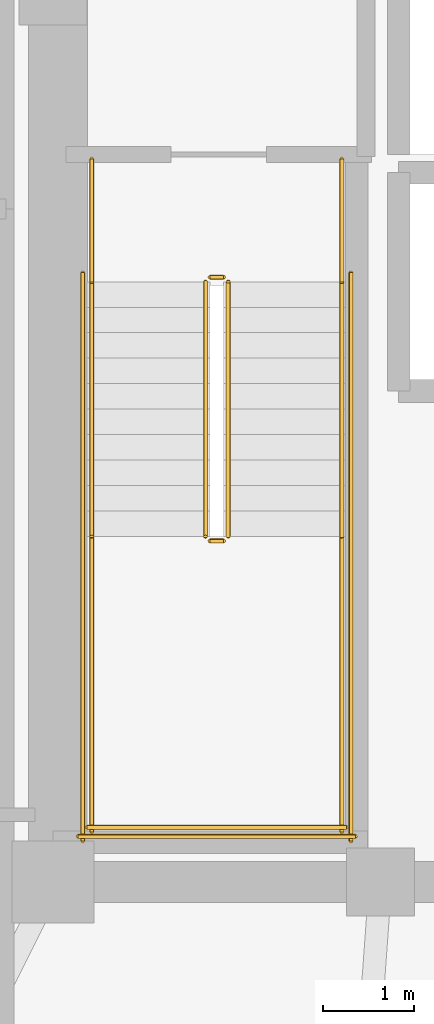
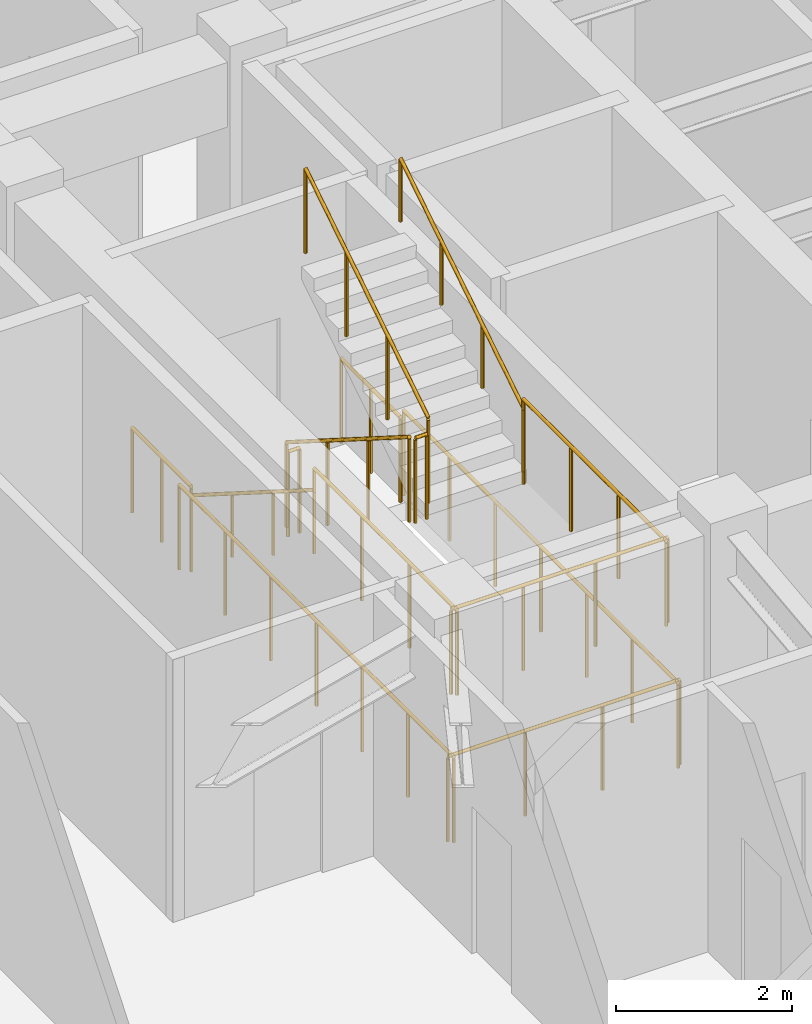
# One storey, part 11 of 12: 14 railings.
"""IFC4 building model written with IfcOpenShell, lengths in metres."""

from ifc_helpers import new_model, si_unit, direction, frame, origin, origin_2d, place, context, subcontext, project, spatial, circle, extrude, material, type_object, element, save


model = new_model("IFC4")

# Units and contexts
model_context = context("Model", 3, precision=1e-05, world=origin(), true_north=direction((0.0, 1.0)))
body_context = subcontext(model_context, "Body", "Model", "MODEL_VIEW")
ifc_project = project(units=[si_unit("LENGTHUNIT", "METRE"), si_unit("AREAUNIT", "SQUARE_METRE"), si_unit("VOLUMEUNIT", "CUBIC_METRE"), si_unit("PLANEANGLEUNIT", "RADIAN"), si_unit("MASSUNIT", "GRAM", prefix="KILO")], contexts=[model_context])

# Site, building, storey
site_placement = place(None, origin())
site = spatial("IfcSite", under=ifc_project, at=site_placement, CompositionType="ELEMENT")
building_placement = place(site_placement, origin())
building = spatial("IfcBuilding", under=site, at=building_placement, Name="Voryun Gate Residences", CompositionType="ELEMENT")
storey_placement = place(building_placement, frame((0.0, 0.0, 187.199951171875)))
storey = spatial("IfcBuildingStorey", under=building, at=storey_placement, Name="L46", CompositionType="ELEMENT", Elevation=187.199951171875)

# Railings
ifc_material_1 = material(Name="Painted steel", Category="steel")
railing_type_1 = type_object("IfcRailingType", Name="RAIL_STAIR_GUARD_1200", PredefinedType="GUARDRAIL", material=ifc_material_1)
railing_1_placement = place(storey_placement, frame((-17.52490234375, -0.800048828125, 0.17724609375)))
element("IfcRailing", 1, at=railing_1_placement, inside=storey, type_object=railing_type_1, Name="L46 ST-W1 stair guard 1", PredefinedType="GUARDRAIL", context=body_context, shape_type="SweptSolid", body=[
    extrude(circle(Radius=0.02392578125, at=origin_2d()), frame((0.0, 0.0, 1.17578125), z_axis=(0.0, -0.844908973607, 0.534910110503), x_axis=(1.0, 0.0, 0.0)), (0.0, 0.0, 1.0), 3.31396484375),
    extrude(circle(Radius=0.02099609375, at=origin_2d()), origin(), (0.0, 0.0, 1.0), 1.15185546875),
    extrude(circle(Radius=0.02099609375, at=origin_2d()), frame((0.0, -0.933349609375, 0.5908203125)), (0.0, 0.0, 1.0), 1.15185546875),
    extrude(circle(Radius=0.02099609375, at=origin_2d()), frame((0.0, -1.86669921875, 1.181884765625)), (0.0, 0.0, 1.0), 1.15185546875),
    extrude(circle(Radius=0.02099609375, at=origin_2d()), frame((0.0, -2.800048828125, 1.772705078125)), (0.0, 0.0, 1.0), 1.15185546875),
])
railing_2_placement = place(storey_placement, frame((-17.47509765625, -3.64990234375, 1.949951171875)))
element("IfcRailing", 2, at=railing_2_placement, inside=storey, type_object=railing_type_1, Name="L46 ST-W1 stair guard 2", PredefinedType="GUARDRAIL", context=body_context, shape_type="SweptSolid", body=[
    extrude(circle(Radius=0.02392578125, at=origin_2d()), frame((0.0, 0.0, 1.17578125), z_axis=(1.0, 0.0, 0.0), x_axis=(0.0, 1.0, 0.0)), (0.0, 0.0, 1.0), 0.150146484375),
    extrude(circle(Radius=0.02099609375, at=origin_2d()), origin(), (0.0, 0.0, 1.0), 1.15185546875),
    extrude(circle(Radius=0.02099609375, at=origin_2d()), frame((0.150146484375, 0.0, 0.0)), (0.0, 0.0, 1.0), 1.15185546875),
])
for number, where, name in (
    (3, (-18.77490234375, -3.60009765625, 1.949951171875), "L46 ST-W1 stair guard 3"),
    (4, (-16.02490234375, -3.60009765625, 1.949951171875), "L46 ST-W1 stair guard 4"),
):
    element("IfcRailing", number, at=place(storey_placement, frame(where)), inside=storey, type_object=railing_type_1, Name=name, PredefinedType="GUARDRAIL", context=body_context, shape_type="SweptSolid", body=[
        extrude(circle(Radius=0.02392578125, at=origin_2d()), frame((0.0, 0.0, 1.17578125), z_axis=(0.0, -1.0, 0.0), x_axis=(1.0, 0.0, 0.0)), (0.0, 0.0, 1.0), 3.25),
        extrude(circle(Radius=0.02099609375, at=origin_2d()), origin(), (0.0, 0.0, 1.0), 1.15185546875),
        extrude(circle(Radius=0.02099609375, at=origin_2d()), frame((0.0, -1.083251953125, 0.0)), (0.0, 0.0, 1.0), 1.15185546875),
        extrude(circle(Radius=0.02099609375, at=origin_2d()), frame((0.0, -2.166748046875, 0.0)), (0.0, 0.0, 1.0), 1.15185546875),
        extrude(circle(Radius=0.02099609375, at=origin_2d()), frame((0.0, -3.25, 0.0)), (0.0, 0.0, 1.0), 1.15185546875),
    ])
railing_3_placement = place(storey_placement, frame((-18.824951171875, -6.800048828125, 1.949951171875)))
element("IfcRailing", 5, at=railing_3_placement, inside=storey, type_object=railing_type_1, Name="L46 ST-W1 stair guard 5", PredefinedType="GUARDRAIL", context=body_context, shape_type="SweptSolid", body=[
    extrude(circle(Radius=0.02392578125, at=origin_2d()), frame((0.0, 0.0, 1.17578125), z_axis=(1.0, 0.0, 0.0), x_axis=(0.0, 1.0, 0.0)), (0.0, 0.0, 1.0), 2.849853515625),
    extrude(circle(Radius=0.02099609375, at=origin_2d()), origin(), (0.0, 0.0, 1.0), 1.15185546875),
    extrude(circle(Radius=0.02099609375, at=origin_2d()), frame((0.949951171875, 0.0, 0.0)), (0.0, 0.0, 1.0), 1.15185546875),
    extrude(circle(Radius=0.02099609375, at=origin_2d()), frame((1.89990234375, 0.0, 0.0)), (0.0, 0.0, 1.0), 1.15185546875),
    extrude(circle(Radius=0.02099609375, at=origin_2d()), frame((2.849853515625, 0.0, 0.0)), (0.0, 0.0, 1.0), 1.15185546875),
])
railing_4_placement = place(storey_placement, frame((-17.27490234375, -3.60009765625, 2.12744140625)))
element("IfcRailing", 6, at=railing_4_placement, inside=storey, type_object=railing_type_1, Name="L46 ST-W1 stair guard 6", PredefinedType="GUARDRAIL", context=body_context, shape_type="SweptSolid", body=[
    extrude(circle(Radius=0.02392578125, at=origin_2d()), frame((0.0, 0.0, 1.17578125), z_axis=(0.0, 0.844908973607, 0.534910110503), x_axis=(-1.0, 0.0, 0.0)), (0.0, 0.0, 1.0), 3.31396484375),
    extrude(circle(Radius=0.02099609375, at=origin_2d()), origin(), (0.0, 0.0, 1.0), 1.15185546875),
    extrude(circle(Radius=0.02099609375, at=origin_2d()), frame((0.0, 0.933349609375, 0.5908203125)), (0.0, 0.0, 1.0), 1.15185546875),
    extrude(circle(Radius=0.02099609375, at=origin_2d()), frame((0.0, 1.86669921875, 1.181884765625)), (0.0, 0.0, 1.0), 1.15185546875),
    extrude(circle(Radius=0.02099609375, at=origin_2d()), frame((0.0, 2.800048828125, 1.772705078125)), (0.0, 0.0, 1.0), 1.15185546875),
])
railing_5_placement = place(storey_placement, frame((-17.47509765625, -0.75, 0.0)))
element("IfcRailing", 7, at=railing_5_placement, inside=storey, type_object=railing_type_1, Name="L46 ST-W1 stair guard 7", PredefinedType="GUARDRAIL", context=body_context, shape_type="SweptSolid", body=[
    extrude(circle(Radius=0.02392578125, at=origin_2d()), frame((0.0, 0.0, 1.17578125), z_axis=(1.0, 0.0, 0.0), x_axis=(0.0, 1.0, 0.0)), (0.0, 0.0, 1.0), 0.150146484375),
    extrude(circle(Radius=0.02099609375, at=origin_2d()), origin(), (0.0, 0.0, 1.0), 1.15185546875),
    extrude(circle(Radius=0.02099609375, at=origin_2d()), frame((0.150146484375, 0.0, 0.0)), (0.0, 0.0, 1.0), 1.15185546875),
])
for number, where, name in (
    (8, (-18.77490234375, 0.550048828125, 0.0), "L46 ST-W1 stair guard 8"),
    (9, (-16.02490234375, 0.550048828125, 0.0), "L46 ST-W1 stair guard 9"),
):
    element("IfcRailing", number, at=place(storey_placement, frame(where)), inside=storey, type_object=railing_type_1, Name=name, PredefinedType="GUARDRAIL", context=body_context, shape_type="SweptSolid", body=[
        extrude(circle(Radius=0.02392578125, at=origin_2d()), frame((0.0, 0.0, 1.17578125), z_axis=(0.0, -1.0, 0.0), x_axis=(1.0, 0.0, 0.0)), (0.0, 0.0, 1.0), 1.35009765625),
        extrude(circle(Radius=0.02099609375, at=origin_2d()), origin(), (0.0, 0.0, 1.0), 1.15185546875),
        extrude(circle(Radius=0.02099609375, at=origin_2d()), frame((0.0, -0.675048828125, 0.0)), (0.0, 0.0, 1.0), 1.15185546875),
        extrude(circle(Radius=0.02099609375, at=origin_2d()), frame((0.0, -1.35009765625, 0.0)), (0.0, 0.0, 1.0), 1.15185546875),
    ])
for number, where, name in (
    (10, (-18.875, -0.699951171875, 0.0), "L46 ST-W1 stair guard 10"),
    (11, (-15.925048828125, -0.699951171875, 0.0), "L46 ST-W1 stair guard 11"),
):
    element("IfcRailing", number, at=place(storey_placement, frame(where)), inside=storey, type_object=railing_type_1, Name=name, PredefinedType="GUARDRAIL", context=body_context, shape_type="SweptSolid", body=[
        extrude(circle(Radius=0.02392578125, at=origin_2d()), frame((0.0, 0.0, 1.17578125), z_axis=(0.0, -1.0, 0.0), x_axis=(1.0, 0.0, 0.0)), (0.0, 0.0, 1.0), 6.25),
        extrude(circle(Radius=0.02099609375, at=origin_2d()), origin(), (0.0, 0.0, 1.0), 1.15185546875),
        extrude(circle(Radius=0.02099609375, at=origin_2d()), frame((0.0, -1.041748046875, 0.0)), (0.0, 0.0, 1.0), 1.15185546875),
        extrude(circle(Radius=0.02099609375, at=origin_2d()), frame((0.0, -2.083251953125, 0.0)), (0.0, 0.0, 1.0), 1.15185546875),
        extrude(circle(Radius=0.02099609375, at=origin_2d()), frame((0.0, -3.125, 0.0)), (0.0, 0.0, 1.0), 1.15185546875),
        extrude(circle(Radius=0.02099609375, at=origin_2d()), frame((0.0, -4.166748046875, 0.0)), (0.0, 0.0, 1.0), 1.15185546875),
        extrude(circle(Radius=0.02099609375, at=origin_2d()), frame((0.0, -5.208251953125, 0.0)), (0.0, 0.0, 1.0), 1.15185546875),
        extrude(circle(Radius=0.02099609375, at=origin_2d()), frame((0.0, -6.25, 0.0)), (0.0, 0.0, 1.0), 1.15185546875),
    ])
railing_6_placement = place(storey_placement, frame((-18.925048828125, -6.89990234375, 0.0)))
element("IfcRailing", 12, at=railing_6_placement, inside=storey, type_object=railing_type_1, Name="L46 ST-W1 stair guard 12", PredefinedType="GUARDRAIL", context=body_context, shape_type="SweptSolid", body=[
    extrude(circle(Radius=0.02392578125, at=origin_2d()), frame((0.0, 0.0, 1.17578125), z_axis=(1.0, 0.0, 0.0), x_axis=(0.0, 1.0, 0.0)), (0.0, 0.0, 1.0), 3.050048828125),
    extrude(circle(Radius=0.02099609375, at=origin_2d()), origin(), (0.0, 0.0, 1.0), 1.15185546875),
    extrude(circle(Radius=0.02099609375, at=origin_2d()), frame((1.0166015625, 0.0, 0.0)), (0.0, 0.0, 1.0), 1.15185546875),
    extrude(circle(Radius=0.02099609375, at=origin_2d()), frame((2.033447265625, 0.0, 0.0)), (0.0, 0.0, 1.0), 1.15185546875),
    extrude(circle(Radius=0.02099609375, at=origin_2d()), frame((3.050048828125, 0.0, 0.0)), (0.0, 0.0, 1.0), 1.15185546875),
])
ifc_material_2 = material(Name="Painted steel", Category="steel")
railing_type_2 = type_object("IfcRailingType", Name="RAIL_STAIR_HANDRAIL_900", PredefinedType="HANDRAIL", material=ifc_material_2)
railing_7_placement = place(storey_placement, frame((-18.77490234375, -0.800048828125, 0.17724609375)))
element("IfcRailing", 13, at=railing_7_placement, inside=storey, type_object=railing_type_2, Name="L46 ST-W1 stair handrail 1", PredefinedType="HANDRAIL", context=body_context, shape_type="SweptSolid", body=[
    extrude(circle(Radius=0.02392578125, at=origin_2d()), frame((0.0, 0.0, 0.8759765625), z_axis=(0.0, -0.844908973607, 0.534910110503), x_axis=(1.0, 0.0, 0.0)), (0.0, 0.0, 1.0), 3.31396484375),
    extrude(circle(Radius=0.02099609375, at=origin_2d()), origin(), (0.0, 0.0, 1.0), 0.851806640625),
    extrude(circle(Radius=0.02099609375, at=origin_2d()), frame((0.0, -0.933349609375, 0.5908203125)), (0.0, 0.0, 1.0), 0.851806640625),
    extrude(circle(Radius=0.02099609375, at=origin_2d()), frame((0.0, -1.86669921875, 1.181884765625)), (0.0, 0.0, 1.0), 0.851806640625),
    extrude(circle(Radius=0.02099609375, at=origin_2d()), frame((0.0, -2.800048828125, 1.772705078125)), (0.0, 0.0, 1.0), 0.851806640625),
])
railing_8_placement = place(storey_placement, frame((-16.02490234375, -3.60009765625, 2.12744140625)))
element("IfcRailing", 14, at=railing_8_placement, inside=storey, type_object=railing_type_2, Name="L46 ST-W1 stair handrail 2", PredefinedType="HANDRAIL", context=body_context, shape_type="SweptSolid", body=[
    extrude(circle(Radius=0.02392578125, at=origin_2d()), frame((0.0, 0.0, 0.8759765625), z_axis=(0.0, 0.844908973607, 0.534910110503), x_axis=(-1.0, 0.0, 0.0)), (0.0, 0.0, 1.0), 3.31396484375),
    extrude(circle(Radius=0.02099609375, at=origin_2d()), origin(), (0.0, 0.0, 1.0), 0.851806640625),
    extrude(circle(Radius=0.02099609375, at=origin_2d()), frame((0.0, 0.933349609375, 0.5908203125)), (0.0, 0.0, 1.0), 0.851806640625),
    extrude(circle(Radius=0.02099609375, at=origin_2d()), frame((0.0, 1.86669921875, 1.181884765625)), (0.0, 0.0, 1.0), 0.851806640625),
    extrude(circle(Radius=0.02099609375, at=origin_2d()), frame((0.0, 2.800048828125, 1.772705078125)), (0.0, 0.0, 1.0), 0.851806640625),
])

save(model, "model.ifc")
